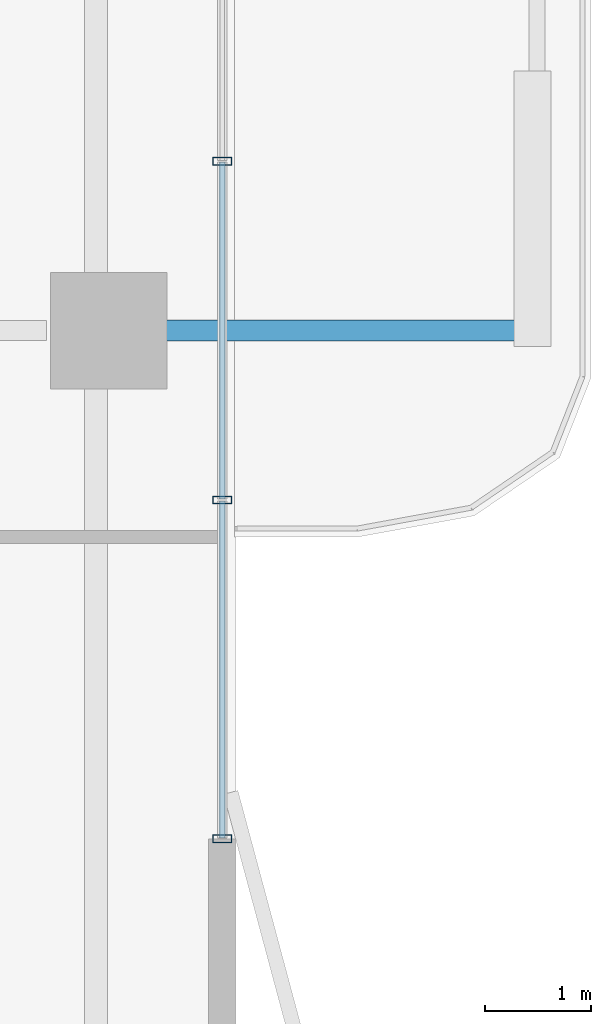
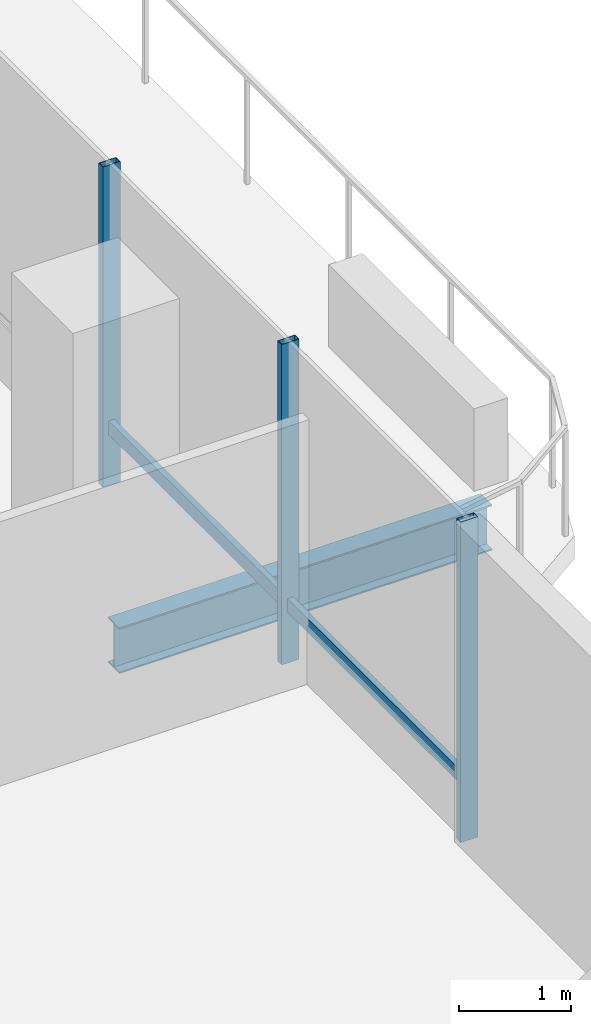
# One storey, part 11 of 29: 5 members, 1 beam, 1 element without a shape of its own.
"""IFC4 building model written with IfcOpenShell, lengths in metres."""

from ifc_helpers import new_model, si_unit, direction, frame, origin, origin_2d, place, context, subcontext, project, spatial, hollow_rectangle, i_section, extrude, material, layer, layer_set, material_profile, profile_set, type_object, element, aggregate, save


model = new_model("IFC4")

# Units and contexts
model_context = context("Model", 3, precision=1e-05, world=origin(), true_north=direction((0.0, 1.0)))
body_context = subcontext(model_context, "Body", "Model", "MODEL_VIEW")
ifc_project = project(units=[si_unit("LENGTHUNIT", "METRE"), si_unit("AREAUNIT", "SQUARE_METRE"), si_unit("VOLUMEUNIT", "CUBIC_METRE"), si_unit("PLANEANGLEUNIT", "RADIAN"), si_unit("MASSUNIT", "GRAM", prefix="KILO")], contexts=[model_context])

# Site, building, storey
site_placement = place(None, origin())
site = spatial("IfcSite", under=ifc_project, at=site_placement, CompositionType="ELEMENT")
building_placement = place(site_placement, origin())
building = spatial("IfcBuilding", under=site, at=building_placement, Name="Belovzor Exchange Tower", CompositionType="ELEMENT")
storey_placement = place(building_placement, frame((0.0, 0.0, 199.949951171875)))
storey = spatial("IfcBuildingStorey", under=building, at=storey_placement, Name="L49", CompositionType="ELEMENT", Elevation=199.949951171875)

# Beam
ifc_material_1 = material(Name="Steel S355", Category="steel")
ifc_material_profile_1 = material_profile(ifc_material_1, i_section(OverallWidth=0.199951171875, OverallDepth=0.5, WebThickness=0.01025390625, FlangeThickness=0.01611328125, at=origin_2d()))
ifc_profile_set_1 = profile_set([ifc_material_profile_1], Name="Steel S355")
beam_type = type_object("IfcBeamType", Name="Planted Balcony Cantilever Beam IPE 500", PredefinedType="BEAM", material=ifc_profile_set_1)
beam_placement = place(storey_placement, frame((54.791015625, 28.800048828125, -0.5), z_axis=(1.0, 0.0, 0.0), x_axis=(0.0, 1.0, 0.0)))
element("IfcBeam", 1, at=beam_placement, inside=storey, type_object=beam_type, Name="BC-500 Planted Balcony Cantilever Beam IPE 500", PredefinedType="BEAM", context=body_context, shape_type="SweptSolid", body=[
    extrude(i_section(OverallWidth=0.199951171875, OverallDepth=0.5, WebThickness=0.01025390625, FlangeThickness=0.01611328125, at=origin_2d()), origin(), (0.0, 0.0, 1.0), 3.85009765625),
])

# Curtain wall, members
ifc_material_2 = material(Name="Anodised Aluminium Framing", Category="aluminium")
ifc_layer = layer(ifc_material_2, 0.179931640625)
ifc_layer_set = layer_set([ifc_layer], Name="Anodised Aluminium Framing")
curtain_wall_type = type_object("IfcCurtainWallType", Name="Recessed Loggia Low-Iron Triple-Glazed Curtain Wall", PredefinedType="NOTDEFINED", material=ifc_layer_set)
curtain_wall_placement = place(storey_placement, origin())
curtain_wall = element("IfcCurtainWall", 2, at=curtain_wall_placement, inside=storey, type_object=curtain_wall_type, Name="CW3 Recessed Loggia Low-Iron Triple-Glazed Curtain Wall L49", PredefinedType="NOTDEFINED")
ifc_material_3 = material(Name="Steel S355", Category="steel")
ifc_material_profile_2 = material_profile(ifc_material_3, hollow_rectangle(XDim=0.074951171875, YDim=0.179931640625, WallThickness=0.0048828125, at=origin_2d()))
ifc_profile_set_2 = profile_set([ifc_material_profile_2], Name="Steel S355")
member_type_1 = type_object("IfcMemberType", Name="Thermally Broken Curtain Wall Mullion 180x75", PredefinedType="MULLION", material=ifc_profile_set_2)
member_1_placement = place(storey_placement, frame((55.669921875, 30.39990234375, 0.0), z_axis=(0.0, 0.0, 1.0), x_axis=(0.0, -1.0, 0.0)))
member_1 = element("IfcMember", 3, at=member_1_placement, type_object=member_type_1, Name="CW-M180 Curtain Wall Mullion 2", PredefinedType="MULLION", context=body_context, shape_type="SweptSolid", body=[
    extrude(hollow_rectangle(XDim=0.074951171875, YDim=0.179931640625, WallThickness=0.0048828125, at=origin_2d()), origin(), (0.0, 0.0, 1.0), 3.5),
])
member_2_placement = place(storey_placement, frame((55.669921875, 27.199951171875, 0.0), z_axis=(0.0, 0.0, 1.0), x_axis=(0.0, -1.0, 0.0)))
member_2 = element("IfcMember", 4, at=member_2_placement, type_object=member_type_1, Name="CW-M180 Curtain Wall Mullion 3", PredefinedType="MULLION", context=body_context, shape_type="SweptSolid", body=[
    extrude(hollow_rectangle(XDim=0.074951171875, YDim=0.179931640625, WallThickness=0.0048828125, at=origin_2d()), origin(), (0.0, 0.0, 1.0), 3.5),
])
member_3_placement = place(storey_placement, frame((55.669921875, 24.0, 0.0), z_axis=(0.0, 0.0, 1.0), x_axis=(0.0, -1.0, 0.0)))
member_3 = element("IfcMember", 5, at=member_3_placement, type_object=member_type_1, Name="CW-M180 Curtain Wall Mullion 4", PredefinedType="MULLION", context=body_context, shape_type="SweptSolid", body=[
    extrude(hollow_rectangle(XDim=0.074951171875, YDim=0.179931640625, WallThickness=0.0048828125, at=origin_2d()), origin(), (0.0, 0.0, 1.0), 3.5),
])
ifc_material_4 = material(Name="Steel S355", Category="steel")
ifc_material_profile_3 = material_profile(ifc_material_4, hollow_rectangle(XDim=0.06005859375, YDim=0.14990234375, WallThickness=0.00390625, at=origin_2d()))
ifc_profile_set_3 = profile_set([ifc_material_profile_3], Name="Steel S355")
member_type_2 = type_object("IfcMemberType", Name="Thermally Broken Curtain Wall Transom 150x60", PredefinedType="USERDEFINED", material=ifc_profile_set_3)
member_4_placement = place(storey_placement, frame((55.669921875, 30.39208984375, 0.630126953125), z_axis=(0.0, -1.0, 0.0), x_axis=(1.0, 0.0, 0.0)))
member_4 = element("IfcMember", 6, at=member_4_placement, type_object=member_type_2, Name="CW-T150 Curtain Wall Transom 2", ObjectType="TRANSOM", PredefinedType="USERDEFINED", context=body_context, shape_type="SweptSolid", body=[
    extrude(hollow_rectangle(XDim=0.06005859375, YDim=0.14990234375, WallThickness=0.00390625, at=origin_2d()), origin(), (0.0, 0.0, 1.0), 3.18408203125),
])
member_5_placement = place(storey_placement, frame((55.669921875, 27.19189453125, 0.630126953125), z_axis=(0.0, -1.0, 0.0), x_axis=(1.0, 0.0, 0.0)))
member_5 = element("IfcMember", 7, at=member_5_placement, type_object=member_type_2, Name="CW-T150 Curtain Wall Transom 3", ObjectType="TRANSOM", PredefinedType="USERDEFINED", context=body_context, shape_type="SweptSolid", body=[
    extrude(hollow_rectangle(XDim=0.06005859375, YDim=0.14990234375, WallThickness=0.00390625, at=origin_2d()), origin(), (0.0, 0.0, 1.0), 3.183837890625),
])
aggregate(curtain_wall, [member_1, member_2, member_3, member_4, member_5])

save(model, "model.ifc")
